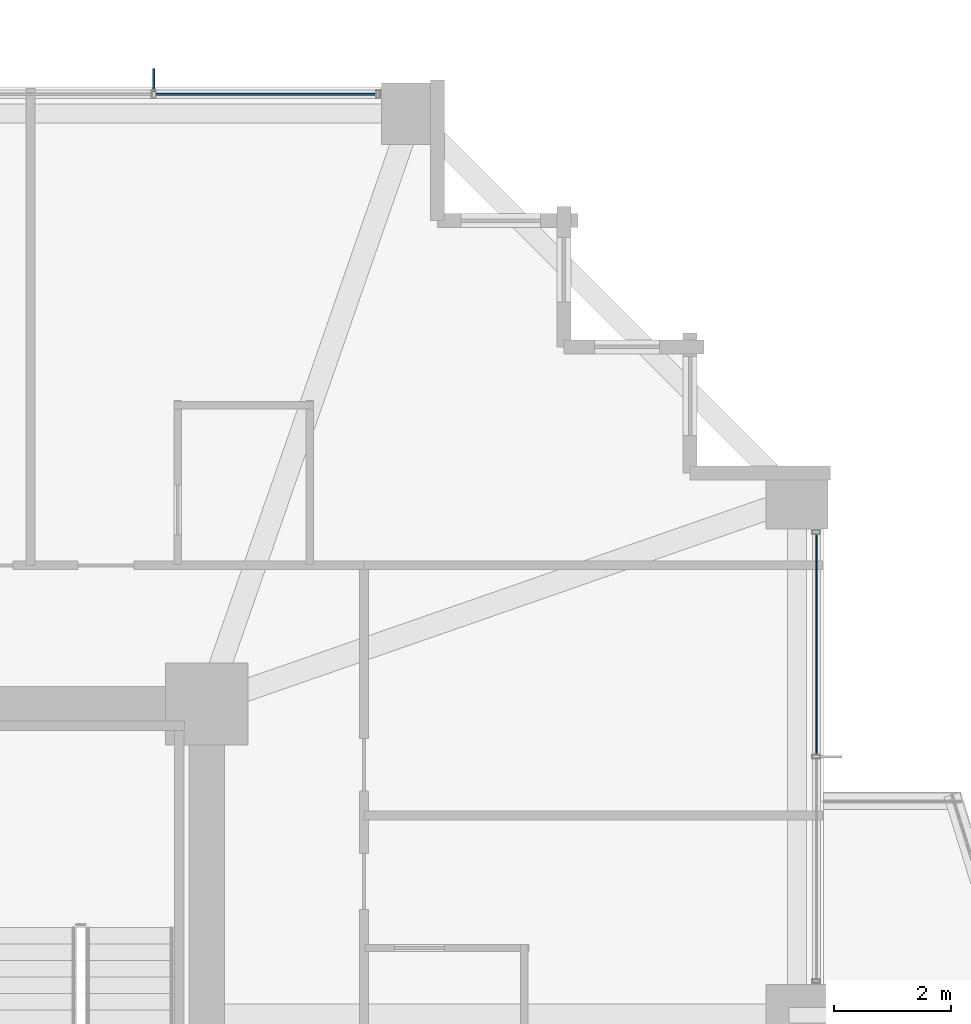
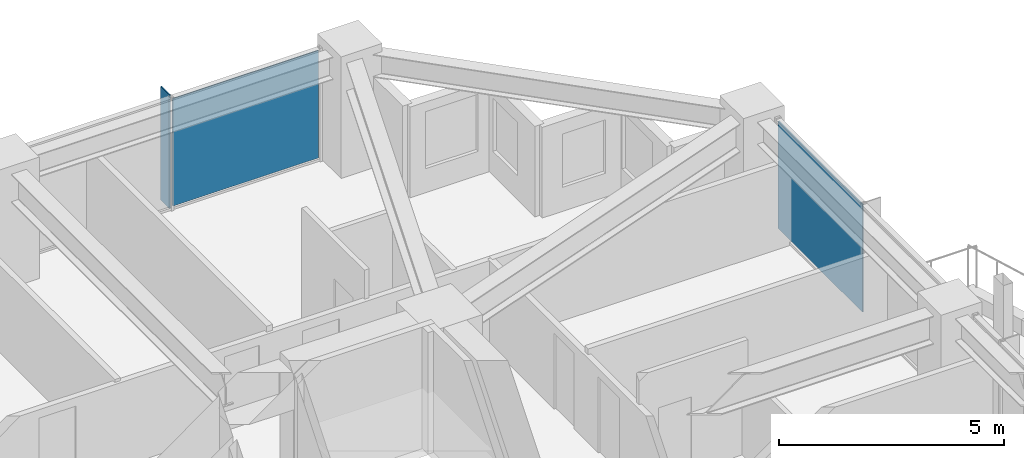
# One storey, part 30 of 37: 3 plates, 2 elements without a shape of their own.
"""IFC4 building model written with IfcOpenShell, lengths in metres."""

from ifc_helpers import new_model, si_unit, direction, frame, origin, origin_2d, place, context, subcontext, project, spatial, rectangle, extrude, material, layer, layer_set, type_object, element, aggregate, save


model = new_model("IFC4")

# Units and contexts
model_context = context("Model", 3, precision=1e-05, world=origin(), true_north=direction((0.0, 1.0)))
body_context = subcontext(model_context, "Body", "Model", "MODEL_VIEW")
ifc_project = project(units=[si_unit("LENGTHUNIT", "METRE"), si_unit("AREAUNIT", "SQUARE_METRE"), si_unit("VOLUMEUNIT", "CUBIC_METRE"), si_unit("PLANEANGLEUNIT", "RADIAN"), si_unit("MASSUNIT", "GRAM", prefix="KILO")], contexts=[model_context])

# Site, building, storey
site_placement = place(None, origin())
site = spatial("IfcSite", under=ifc_project, at=site_placement, CompositionType="ELEMENT")
building_placement = place(site_placement, origin())
building = spatial("IfcBuilding", under=site, at=building_placement, Name="Kolvaren Belvedere", CompositionType="ELEMENT")
storey_placement = place(building_placement, frame((0.0, 0.0, 75.5)))
storey = spatial("IfcBuildingStorey", under=building, at=storey_placement, Name="L21", CompositionType="ELEMENT", Elevation=75.5)

# Curtain wall, plate
ifc_material_1 = material(Name="Anodised pale-metal aluminium AA 6063-T6", Category="aluminium")
curtain_wall_type = type_object("IfcCurtainWallType", Name="CW-Z2-MID", PredefinedType="NOTDEFINED", material=ifc_material_1)
curtain_wall_1_placement = place(storey_placement, origin())
curtain_wall_1 = element("IfcCurtainWall", 1, at=curtain_wall_1_placement, inside=storey, type_object=curtain_wall_type, Name="L21 Unitised Curtain Wall FCW-L21-E1-B1", PredefinedType="NOTDEFINED")
ifc_material_2 = material(Name="Low-iron triple insulated glass", Category="glass")
ifc_layer_1 = layer(ifc_material_2, 0.028076171875)
ifc_layer_set_1 = layer_set([ifc_layer_1], Name="Low-iron triple insulated glass")
plate_type_1 = type_object("IfcPlateType", Name="CW-PNL-VIS28", PredefinedType="CURTAIN_PANEL", material=ifc_layer_set_1)
plate_1_placement = place(storey_placement, frame((20.280029296875, 10.9111328125, 0.080078125), z_axis=(0.0, 0.0, 1.0), x_axis=(0.0, -1.0, 0.0)))
plate_1 = element("IfcPlate", 2, at=plate_1_placement, type_object=plate_type_1, Name="FCW-L21-E1-B1 Vision Glazing Panel 1", PredefinedType="CURTAIN_PANEL", context=body_context, shape_type="SweptSolid", body=[
    extrude(rectangle(XDim=3.742431640625, YDim=0.028076171875, at=origin_2d()), origin(), (0.0, 0.0, 1.0), 2.919921875),
])
aggregate(curtain_wall_1, [plate_1])

curtain_wall_2_placement = place(storey_placement, origin())
curtain_wall_2 = element("IfcCurtainWall", 3, at=curtain_wall_2_placement, inside=storey, type_object=curtain_wall_type, Name="L21 Unitised Curtain Wall FCW-L21-N-B3", PredefinedType="NOTDEFINED")
plate_2_placement = place(storey_placement, frame((10.9111328125, 20.280029296875, 0.080078125), z_axis=(0.0, 0.0, 1.0), x_axis=(1.0, 0.0, 0.0)))
plate_2 = element("IfcPlate", 4, at=plate_2_placement, type_object=plate_type_1, Name="FCW-L21-N-B3 Vision Glazing Panel 2", PredefinedType="CURTAIN_PANEL", context=body_context, shape_type="SweptSolid", body=[
    extrude(rectangle(XDim=3.742431640625, YDim=0.028076171875, at=origin_2d()), origin(), (0.0, 0.0, 1.0), 2.919921875),
])
aggregate(curtain_wall_2, [plate_2])

# Plate
ifc_material_3 = material(Name="Anodised pale-metal aluminium AA 6063-T6", Category="aluminium")
ifc_layer_2 = layer(ifc_material_3, 0.033935546875)
ifc_layer_set_2 = layer_set([ifc_layer_2], Name="Anodised pale-metal aluminium AA 6063-T6")
plate_type_2 = type_object("IfcPlateType", Name="FIN-VERT-380", PredefinedType="USERDEFINED", material=ifc_layer_set_2)
plate_3_placement = place(storey_placement, frame((9.0, 20.52490234375, 0.0), z_axis=(0.0, 0.0, 1.0), x_axis=(0.0, 1.0, 0.0)))
element("IfcPlate", 5, at=plate_3_placement, inside=storey, type_object=plate_type_2, Name="L21 Pale-Metal Vertical Shading Fin FCW-L21-N-B3-1", ObjectType="VERTICAL FIN", PredefinedType="USERDEFINED", context=body_context, shape_type="SweptSolid", body=[
    extrude(rectangle(XDim=0.3798828125, YDim=0.033935546875, at=origin_2d()), origin(), (0.0, 0.0, 1.0), 3.080078125),
])

save(model, "model.ifc")
